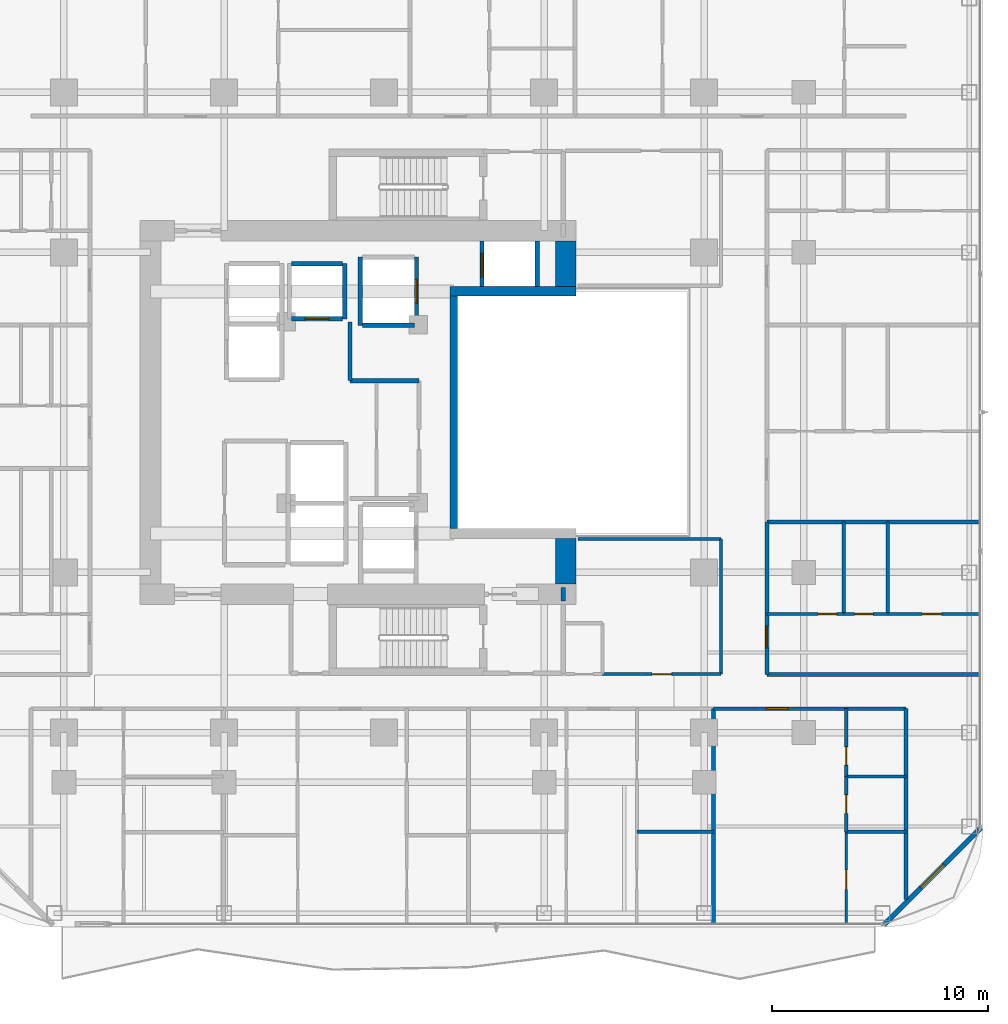
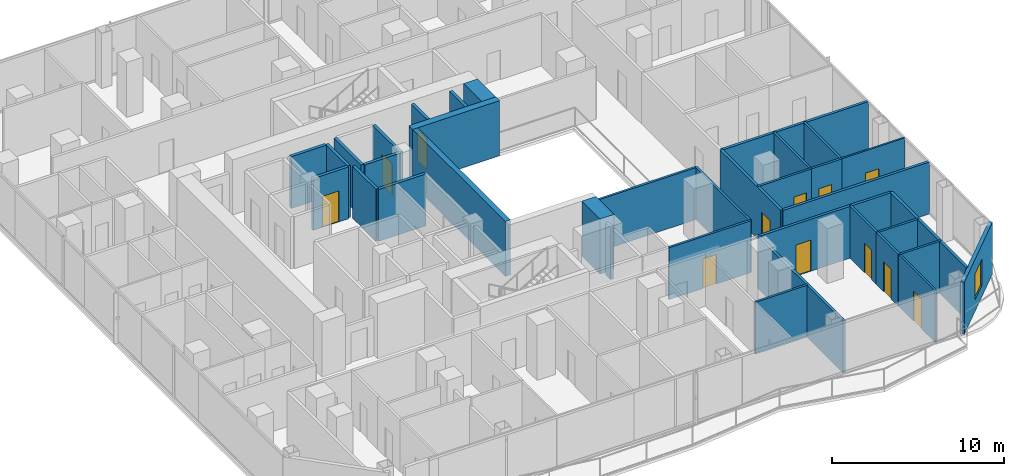
# One storey, part 20 of 29: 36 walls, 12 doors, 1 window, 13 openings.
"""IFC4 building model written with IfcOpenShell, lengths in metres."""

import ifcopenshell
import ifcopenshell.guid

model = None  # the IFC model being written
_history = None  # IfcOwnerHistory: only IFC2X3 demands one
_inside = {}  # id of a spatial element -> (the spatial element, [elements in it])
_under = {}  # id of a project, library or spatial element -> (it, [spatial elements below it])
_declared = {}  # id of a project -> (the project, [libraries it declares])
_typed = {}  # id of a type object -> (the type object, [elements of that type])
_made_of = {}  # id of a material, layer set ... -> (it, [elements and type objects made of it])


def new_model(schema):
    """Start an empty IFC model of exactly this schema.

    Asked for "IFC4X3", IfcOpenShell would pick the latest addendum, in which some entities
    have other attributes; the version numbers below select the first issue.
    IFC2X3 requires an IfcOwnerHistory on every rooted entity: one is made here for all.
    """
    global model, _history
    if schema == "IFC4X3":
        model = ifcopenshell.file(schema_version=(4, 3, 0, 0))
    else:
        model = ifcopenshell.file(schema=schema)
    _inside.clear()
    _under.clear()
    _declared.clear()
    _typed.clear()
    _made_of.clear()
    _history = None
    if model.schema == "IFC2X3":
        org = make("IfcOrganization", Name="unknown")
        user = make(
            "IfcPersonAndOrganization",
            ThePerson=make("IfcPerson", FamilyName="unknown"),
            TheOrganization=org,
        )
        app = make(
            "IfcApplication",
            ApplicationDeveloper=org,
            Version="unknown",
            ApplicationFullName="unknown",
            ApplicationIdentifier="unknown",
        )
        _history = make(
            "IfcOwnerHistory",
            OwningUser=user,
            OwningApplication=app,
            ChangeAction="ADDED",
            CreationDate=0,
        )
    return model


def make(cls, **values):
    """One entity of the class cls with the attributes given. An attribute that is None is left unset."""
    return model.create_entity(
        cls, **{name: value for name, value in values.items() if value is not None}
    )


def rooted(cls, **values):
    """An entity with a GlobalId (a new one), such as an element, a storey or a relation."""
    return make(cls, GlobalId=ifcopenshell.guid.new(), OwnerHistory=_history, **values)


def si_unit(unit_type, name, prefix=None):
    """IfcSIUnit, for example si_unit("LENGTHUNIT", "METRE", prefix="MILLI")."""
    return make("IfcSIUnit", UnitType=unit_type, Prefix=prefix, Name=name)


def assignment(units):
    """IfcUnitAssignment: the units of a project."""
    return None if units is None else make("IfcUnitAssignment", Units=units)


def point(xyz):
    """IfcCartesianPoint."""
    return None if xyz is None else make("IfcCartesianPoint", Coordinates=xyz)


def direction(xyz):
    """IfcDirection."""
    return None if xyz is None else make("IfcDirection", DirectionRatios=xyz)


def frame(location, z_axis=None, x_axis=None):
    """IfcAxis2Placement3D, a coordinate frame: its origin and axes. An axis left out is left unset."""
    return make(
        "IfcAxis2Placement3D",
        Location=point(location),
        Axis=direction(z_axis),
        RefDirection=direction(x_axis),
    )


def frame_2d(location, x_axis=None):
    """IfcAxis2Placement2D, a coordinate frame in the plane: its origin and x axis."""
    return make(
        "IfcAxis2Placement2D", Location=point(location), RefDirection=direction(x_axis)
    )


def origin():
    """The frame at (0, 0, 0) with its axes left unset."""
    return frame((0.0, 0.0, 0.0))


def place(relative_to, where):
    """IfcLocalPlacement: puts the frame where relative to a parent placement (None: the world)."""
    return make(
        "IfcLocalPlacement", PlacementRelTo=relative_to, RelativePlacement=where
    )


def context(
    kind, dimensions, precision=None, world=None, true_north=None, identifier=None
):
    """IfcGeometricRepresentationContext, for example the 3D "Model" context."""
    return make(
        "IfcGeometricRepresentationContext",
        ContextIdentifier=identifier,
        ContextType=kind,
        CoordinateSpaceDimension=dimensions,
        Precision=precision,
        WorldCoordinateSystem=world,
        TrueNorth=true_north,
    )


def subcontext(parent, identifier, kind, view, scale=None):
    """IfcGeometricRepresentationSubContext, for example "Body" below "Model"."""
    return make(
        "IfcGeometricRepresentationSubContext",
        ContextIdentifier=identifier,
        ContextType=kind,
        ParentContext=parent,
        TargetScale=scale,
        TargetView=view,
    )


def project(units=None, contexts=None):
    """IfcProject with its units and contexts."""
    return rooted(
        "IfcProject",
        Name="project",
        RepresentationContexts=contexts,
        UnitsInContext=assignment(units),
    )


def spatial(cls, under=None, at=None, **own):
    """A site, building, storey or space (cls), placed at a placement, below another one or the project."""
    s = rooted(cls, ObjectPlacement=at, **own)
    if under is not None:
        _under.setdefault(under.id(), (under, []))[1].append(s)
    return s


def profile(cls, at=None, kind="AREA", **sizes):
    """A parametric profile (cls). Its sizes go by their IFC names, for example OverallWidth=200.0."""
    return make(cls, ProfileType=kind, Position=at, **sizes)


def rectangle(**sizes):
    """IfcRectangleProfileDef."""
    return profile("IfcRectangleProfileDef", **sizes)


def extrude(swept, where, along, depth):
    """IfcExtrudedAreaSolid: the profile swept, set in the frame where, extruded along a direction by depth."""
    return make(
        "IfcExtrudedAreaSolid",
        SweptArea=swept,
        Position=where,
        ExtrudedDirection=direction(along),
        Depth=depth,
    )


def shape(context_of_items, identifier, shape_type, items):
    """IfcShapeRepresentation: the items that make up one representation, for example the "Body"."""
    return make(
        "IfcShapeRepresentation",
        ContextOfItems=context_of_items,
        RepresentationIdentifier=identifier,
        RepresentationType=shape_type,
        Items=items,
    )


def material(Name=None, Category=None):
    """IfcMaterial."""
    return make("IfcMaterial", Name=Name, Category=Category)


def layer(
    of_material, thickness, ventilated=None, Name=None, Category=None, Priority=None
):
    """IfcMaterialLayer: one layer of a wall or slab, of a material (None: an air gap)."""
    return make(
        "IfcMaterialLayer",
        Material=of_material,
        LayerThickness=thickness,
        IsVentilated=ventilated,
        Name=Name,
        Category=Category,
        Priority=Priority,
    )


def layer_set(layers, Name=None):
    """IfcMaterialLayerSet."""
    return make("IfcMaterialLayerSet", MaterialLayers=layers, LayerSetName=Name)


def made_of(thing, what):
    """Note that an element or type object is made of a material, layer set ...; save() writes the relation."""
    if what is not None:
        _made_of.setdefault(what.id(), (what, []))[1].append(thing)
    return thing


def type_object(cls, material=None, **own):
    """A type object (cls), such as IfcWallType, which elements share."""
    return made_of(rooted(cls, **own), material)


def element(
    cls,
    number,
    at=None,
    inside=None,
    cuts=None,
    type_object=None,
    material=None,
    context=None,
    identifier="Body",
    shape_type=None,
    held_by="IfcProductDefinitionShape",
    body=None,
    shapes=None,
    **own,
):
    """One element of the class cls, such as IfcWall. Its Tag is "e" and its number.

    at: its placement. inside: the storey or other place that contains it. cuts: it is an
    opening in that element (IfcRelVoidsElement). A single representation is given by context,
    identifier, shape_type and body (its items); several are given by shapes. held_by: the class
    of the entity that holds the representations. save() writes the other relations.
    """
    e = rooted(cls, Tag="e%d" % number, ObjectPlacement=at, **own)
    if body is not None:
        shapes = [shape(context, identifier, shape_type, body)]
    if shapes is not None:
        e.Representation = make(held_by, Representations=shapes)
    if inside is not None:
        _inside.setdefault(inside.id(), (inside, []))[1].append(e)
    if cuts is not None:
        rooted(
            "IfcRelVoidsElement", RelatingBuildingElement=cuts, RelatedOpeningElement=e
        )
    if type_object is not None:
        _typed.setdefault(type_object.id(), (type_object, []))[1].append(e)
    return made_of(e, material)


def fill(opening, filler):
    """IfcRelFillsElement: the door or window that sits in an opening."""
    return rooted(
        "IfcRelFillsElement",
        RelatingOpeningElement=opening,
        RelatedBuildingElement=filler,
    )


def aggregate(whole, parts):
    """IfcRelAggregates: a whole, such as a stair, and the parts it consists of."""
    return rooted("IfcRelAggregates", RelatingObject=whole, RelatedObjects=parts)


def save(model, path):
    """Write the relations noted so far, then the file.

    IfcRelAggregates (storeys below a building ...), IfcRelContainedInSpatialStructure (elements
    in a storey), IfcRelDefinesByType, IfcRelAssociatesMaterial and IfcRelDeclares: one each for
    every whole, place, type object, material and project.
    """
    for whole, parts in _under.values():
        aggregate(whole, parts)
    for where, things in _inside.values():
        rooted(
            "IfcRelContainedInSpatialStructure",
            RelatedElements=things,
            RelatingStructure=where,
        )
    for kind, things in _typed.values():
        rooted("IfcRelDefinesByType", RelatedObjects=things, RelatingType=kind)
    for what, things in _made_of.values():
        rooted("IfcRelAssociatesMaterial", RelatedObjects=things, RelatingMaterial=what)
    for by, libraries in _declared.values():
        rooted("IfcRelDeclares", RelatingContext=by, RelatedDefinitions=libraries)
    model.write(path)


model = new_model("IFC4")

# Units and contexts
model_context = context("Model", 3, precision=1e-05, world=origin(), true_north=direction((0.0, 1.0)))
body_context = subcontext(model_context, "Body", "Model", "MODEL_VIEW")
ifc_project = project(units=[si_unit("LENGTHUNIT", "METRE"), si_unit("AREAUNIT", "SQUARE_METRE"), si_unit("VOLUMEUNIT", "CUBIC_METRE"), si_unit("PLANEANGLEUNIT", "RADIAN"), si_unit("MASSUNIT", "GRAM", prefix="KILO")], contexts=[model_context])

# Site, building, storey
site_placement = place(None, origin())
site = spatial("IfcSite", under=ifc_project, at=site_placement, CompositionType="ELEMENT")
building_placement = place(site_placement, origin())
building = spatial("IfcBuilding", under=site, at=building_placement, Name="Khorvyn Point Tower", CompositionType="ELEMENT")
storey_placement = place(building_placement, frame((0.0, 0.0, 144.60009765625)))
storey = spatial("IfcBuildingStorey", under=building, at=storey_placement, Name="L36", CompositionType="ELEMENT", Elevation=144.60009765625)

# Wall, opening, door
ifc_material_1 = material(Name="Double acoustic gypsum on twin steel stud", Category="steel")
ifc_layer_1 = layer(ifc_material_1, 0.179931640625)
ifc_layer_set_1 = layer_set([ifc_layer_1], Name="Acoustic Double-Stud Apartment Demising Wall 180")
wall_type_1 = type_object("IfcWallType", Name="Acoustic Double-Stud Apartment Demising Wall 180", PredefinedType="PARTITIONING", material=ifc_layer_set_1)
wall_1_placement = place(storey_placement, frame((15.222900390625, -13.699951171875, 0.0), z_axis=(0.0, 0.0, 1.0), x_axis=(1.0, 0.0, 0.0)))
wall_1 = element("IfcWall", 1, at=wall_1_placement, inside=storey, type_object=wall_type_1, Name="Wall", PredefinedType="PARTITIONING", context=body_context, shape_type="SweptSolid", body=[
    extrude(rectangle(XDim=8.897216796875, YDim=0.179931640625, at=frame_2d((4.44873046875, 0.0))), origin(), (0.0, 0.0, 1.0), 3.679931640625),
])
opening_1_placement = place(wall_1_placement, frame((2.45068359375, 0.0, 0.0)))
opening_1 = element("IfcOpeningElement", 2, at=opening_1_placement, cuts=wall_1, Name="Opening ID-AP60", PredefinedType="OPENING", context=body_context, shape_type="SweptSolid", body=[
    extrude(rectangle(XDim=1.0, YDim=2.199951171875, at=frame_2d((0.5, 1.10009765625))), frame((0.0, 0.099853515625, 0.0), z_axis=(0.0, -1.0, 0.0), x_axis=(1.0, 0.0, 0.0)), (0.0, 0.0, 1.0), 0.199951171875),
])
ifc_material_2 = material(Name="Engineered hardwood fire-rated leaf", Category="wood")
door_type_1 = type_object("IfcDoorType", Name="Acoustic Solid-Core Timber Apartment Entrance Door 1000x2200", OperationType="NOTDEFINED", PredefinedType="DOOR", material=ifc_material_2)
door_1_placement = place(opening_1_placement, origin())
door_1 = element("IfcDoor", 3, at=door_1_placement, inside=storey, type_object=door_type_1, Name="Door", OperationType="SINGLE_SWING_LEFT", OverallHeight=2.199951171875, OverallWidth=1.0, PredefinedType="DOOR", context=body_context, shape_type="SweptSolid", body=[
    extrude(rectangle(XDim=1.0, YDim=2.199951171875, at=frame_2d((0.5, 1.10009765625))), frame((0.0, 0.02490234375, 0.0), z_axis=(0.0, -1.0, 0.0), x_axis=(1.0, 0.0, 0.0)), (0.0, 0.0, 1.0), 0.050048828125),
])
fill(opening_1, door_1)

wall_2_placement = place(storey_placement, frame((17.699951171875, -12.1201171875, 0.0), z_axis=(0.0, 0.0, 1.0), x_axis=(0.0, 1.0, 0.0)))
wall_2 = element("IfcWall", 4, at=wall_2_placement, inside=storey, type_object=wall_type_1, Name="Wall", PredefinedType="PARTITIONING", context=body_context, shape_type="SweptSolid", body=[
    extrude(rectangle(XDim=7.06201171875, YDim=0.179931640625, at=frame_2d((3.531005859375, 0.0))), origin(), (0.0, 0.0, 1.0), 3.679931640625),
])
opening_2_placement = place(wall_2_placement, frame((1.236572265625, 0.0, 0.0)))
opening_2 = element("IfcOpeningElement", 5, at=opening_2_placement, cuts=wall_2, Name="Opening ID-AP60", PredefinedType="OPENING", context=body_context, shape_type="SweptSolid", body=[
    extrude(rectangle(XDim=1.0, YDim=2.199951171875, at=frame_2d((0.5, 1.10009765625))), frame((0.0, 0.099853515625, 0.0), z_axis=(0.0, -1.0, 0.0), x_axis=(1.0, 0.0, 0.0)), (0.0, 0.0, 1.0), 0.199951171875),
])
door_2_placement = place(opening_2_placement, origin())
door_2 = element("IfcDoor", 6, at=door_2_placement, inside=storey, type_object=door_type_1, Name="Door", OperationType="SINGLE_SWING_LEFT", OverallHeight=2.199951171875, OverallWidth=1.0, PredefinedType="DOOR", context=body_context, shape_type="SweptSolid", body=[
    extrude(rectangle(XDim=1.0, YDim=2.199951171875, at=frame_2d((0.5, 1.10009765625))), frame((0.0, 0.02490234375, 0.0), z_axis=(0.0, -1.0, 0.0), x_axis=(1.0, 0.0, 0.0)), (0.0, 0.0, 1.0), 0.050048828125),
])
fill(opening_2, door_2)

# Walls
wall_3_placement = place(storey_placement, frame((24.1201171875, -22.510009765625, 0.0), z_axis=(0.0, 0.0, 1.0), x_axis=(0.0, 1.0, 0.0)))
element("IfcWall", 7, at=wall_3_placement, inside=storey, type_object=wall_type_1, Name="Wall", PredefinedType="PARTITIONING", context=body_context, shape_type="SweptSolid", body=[
    extrude(rectangle(XDim=8.81005859375, YDim=0.179931640625, at=frame_2d((4.405029296875, 0.0))), origin(), (0.0, 0.0, 1.0), 3.679931640625),
])
wall_4_placement = place(storey_placement, frame((15.222900390625, -23.6298828125, 0.0), z_axis=(0.0, 0.0, 1.0), x_axis=(0.0, 1.0, 0.0)))
element("IfcWall", 8, at=wall_4_placement, inside=storey, type_object=wall_type_1, Name="Wall", PredefinedType="PARTITIONING", context=body_context, shape_type="SweptSolid", body=[
    extrude(rectangle(XDim=9.929931640625, YDim=0.179931640625, at=frame_2d((4.96484375, 0.0))), origin(), (0.0, 0.0, 1.0), 3.679931640625),
])
for number, where, z_axis, x_axis, name in (
    (9, (17.699951171875, -5.05810546875, 0.0), (0.0, 0.0, 1.0), (1.0, 0.0, 0.0), "Wall"),
    (10, (17.699951171875, -12.1201171875, 0.0), (0.0, 0.0, 1.0), (1.0, 0.0, 0.0), "Wall"),
):
    element("IfcWall", number, at=place(storey_placement, frame(where, z_axis=z_axis, x_axis=x_axis)), inside=storey, type_object=wall_type_1, Name=name, PredefinedType="PARTITIONING", context=body_context, shape_type="SweptSolid", body=[
        extrude(rectangle(XDim=9.830078125, YDim=0.179931640625, at=frame_2d((4.9150390625, 0.0))), origin(), (0.0, 0.0, 1.0), 3.679931640625),
    ])

# Wall, opening, window
ifc_material_3 = material(Name="Pale anodised aluminium rainscreen on steel stud", Category="steel")
ifc_layer_2 = layer(ifc_material_3, 0.239990234375)
ifc_layer_set_2 = layer_set([ifc_layer_2], Name="Anodised Aluminium Insulated Corner Spandrel Wall 240")
wall_type_2 = type_object("IfcWallType", Name="Anodised Aluminium Insulated Corner Spandrel Wall 240", PredefinedType="SOLIDWALL", material=ifc_layer_set_2)
wall_5_placement = place(storey_placement, frame((27.59228515625, -19.20751953125, 0.0), z_axis=(0.0, 0.0, 1.0), x_axis=(-0.707087534163, -0.707126027686, 0.0)))
wall_5 = element("IfcWall", 11, at=wall_5_placement, inside=storey, type_object=wall_type_2, Name="L36 Rounded Corner Wall SE", PredefinedType="SOLIDWALL", context=body_context, shape_type="SweptSolid", body=[
    extrude(rectangle(XDim=6.34228515625, YDim=0.239990234375, at=frame_2d((3.171142578125, 0.0))), origin(), (0.0, 0.0, 1.0), 3.679931640625),
])
opening_3_placement = place(wall_5_placement, frame((2.42138671875, 0.0, 0.800048828125)))
opening_3 = element("IfcOpeningElement", 12, at=opening_3_placement, cuts=wall_5, Name="Opening WN-1518", PredefinedType="OPENING", context=body_context, shape_type="SweptSolid", body=[
    extrude(rectangle(XDim=1.5, YDim=1.85009765625, at=frame_2d((0.75, 0.925048828125))), frame((0.0, 0.1298828125, 0.0), z_axis=(0.0, -1.0, 0.0), x_axis=(1.0, 0.0, 0.0)), (0.0, 0.0, 1.0), 0.260009765625),
])
ifc_material_4 = material(Name="Anodised aluminium 6063-T6 and laminated Low-E glass", Category="aluminium")
window_type = type_object("IfcWindowType", Name="Anodised Aluminium Rounded-Corner Panoramic Window 1500x1850", PartitioningType="SINGLE_PANEL", PredefinedType="WINDOW", material=ifc_material_4)
window_placement = place(opening_3_placement, origin())
window = element("IfcWindow", 13, at=window_placement, inside=storey, type_object=window_type, Name="L36 Corner Panoramic Window SE", OverallHeight=1.85009765625, OverallWidth=1.5, PartitioningType="SINGLE_PANEL", PredefinedType="WINDOW", context=body_context, shape_type="SweptSolid", body=[
    extrude(rectangle(XDim=1.5, YDim=1.85009765625, at=frame_2d((0.75, 0.925048828125))), frame((0.0, 0.030029296875, 0.0), z_axis=(0.0, -1.0, 0.0), x_axis=(1.0, 0.0, 0.0)), (0.0, 0.0, 1.0), 0.06005859375),
])
fill(opening_3, window)

# Walls
ifc_material_5 = material(Name="Concrete C40/50", Category="concrete")
ifc_layer_3 = layer(ifc_material_5, 0.449951171875)
ifc_layer_set_3 = layer_set([ifc_layer_3], Name="Concrete C40/50 Core Shear Wall 450")
wall_type_3 = type_object("IfcWallType", Name="Concrete C40/50 Core Shear Wall 450", PredefinedType="SHEAR", material=ifc_layer_set_3)
wall_6_placement = place(storey_placement, frame((3.044921875, 5.60009765625, 0.0), z_axis=(0.0, 0.0, 1.0), x_axis=(1.0, 0.0, 0.0)))
element("IfcWall", 14, at=wall_6_placement, inside=storey, type_object=wall_type_3, Name="Wall", PredefinedType="SHEAR", context=body_context, shape_type="SweptSolid", body=[
    extrude(rectangle(XDim=5.830078125, YDim=0.449951171875, at=frame_2d((2.9150390625, 0.0))), origin(), (0.0, 0.0, 1.0), 3.89990234375),
])
ifc_layer_4 = layer(ifc_material_5, 0.199951171875)
ifc_layer_set_4 = layer_set([ifc_layer_4], Name="Concrete C40/50 Fire-Lobby Compartment Wall 200")
wall_type_4 = type_object("IfcWallType", Name="Concrete C40/50 Fire-Lobby Compartment Wall 200", PredefinedType="SOLIDWALL", material=ifc_layer_set_4)
wall_7_placement = place(storey_placement, frame((-1.580078125, 1.47998046875, 0.0), z_axis=(0.0, 0.0, 1.0), x_axis=(0.0, 1.0, 0.0)))
element("IfcWall", 15, at=wall_7_placement, inside=storey, type_object=wall_type_4, Name="Wall", PredefinedType="SOLIDWALL", context=body_context, shape_type="SweptSolid", body=[
    extrude(rectangle(XDim=2.699951171875, YDim=0.199951171875, at=frame_2d((1.35009765625, 0.0))), origin(), (0.0, 0.0, 1.0), 3.679931640625),
])
wall_8_placement = place(storey_placement, frame((-1.580078125, 1.4599609375, 0.0), z_axis=(0.0, 0.0, 1.0), x_axis=(1.0, 0.0, 0.0)))
element("IfcWall", 16, at=wall_8_placement, inside=storey, type_object=wall_type_4, Name="Wall", PredefinedType="SOLIDWALL", context=body_context, shape_type="SweptSolid", body=[
    extrude(rectangle(XDim=3.190185546875, YDim=0.199951171875, at=frame_2d((1.59521484375, 0.0))), origin(), (0.0, 0.0, 1.0), 3.679931640625),
])
wall_9_placement = place(storey_placement, frame((8.280029296875, -8.72509765625, 0.0), z_axis=(0.0, 0.0, 1.0), x_axis=(0.0, 1.0, 0.0)))
element("IfcWall", 17, at=wall_9_placement, inside=storey, type_object=wall_type_4, Name="Wall", PredefinedType="SOLIDWALL", context=body_context, shape_type="SweptSolid", body=[
    extrude(rectangle(XDim=0.625, YDim=0.199951171875, at=frame_2d((0.3125, 0.0))), origin(), (0.0, 0.0, 1.0), 3.679931640625),
])
ifc_layer_5 = layer(ifc_material_5, 0.35009765625)
ifc_layer_set_5 = layer_set([ifc_layer_5], Name="Concrete C40/50 Stair Shaft Structural Wall 350")
wall_type_5 = type_object("IfcWallType", Name="Concrete C40/50 Stair Shaft Structural Wall 350", PredefinedType="SHEAR", material=ifc_layer_set_5)
wall_10_placement = place(storey_placement, frame((3.219970703125, -5.375, 0.0), z_axis=(0.0, 0.0, 1.0), x_axis=(0.0, 1.0, 0.0)))
element("IfcWall", 18, at=wall_10_placement, inside=storey, type_object=wall_type_5, Name="Wall", PredefinedType="SHEAR", context=body_context, shape_type="SweptSolid", body=[
    extrude(rectangle(XDim=10.75, YDim=0.35009765625, at=frame_2d((5.375, 0.0))), origin(), (0.0, 0.0, 1.0), 3.89990234375),
])
ifc_layer_6 = layer(ifc_material_5, 0.199951171875)
ifc_layer_set_6 = layer_set([ifc_layer_6], Name="Concrete C40/50 Structural Hoistway and Stair Shaft Wall 200")
wall_type_6 = type_object("IfcWallType", Name="Concrete C40/50 Structural Hoistway and Stair Shaft Wall 200", PredefinedType="SHEAR", material=ifc_layer_set_6)
wall_11_placement = place(storey_placement, frame((-1.824951171875, 4.324951171875, 0.0), z_axis=(0.0, 0.0, 1.0), x_axis=(0.0, 1.0, 0.0)))
element("IfcWall", 19, at=wall_11_placement, inside=storey, type_object=wall_type_6, Name="Wall", PredefinedType="SHEAR", context=body_context, shape_type="SweptSolid", body=[
    extrude(rectangle(XDim=2.550048828125, YDim=0.199951171875, at=frame_2d((1.27490234375, 0.0))), origin(), (0.0, 0.0, 1.0), 3.679931640625),
])

# Wall, opening, door
wall_12_placement = place(storey_placement, frame((-4.27490234375, 4.324951171875, 0.0), z_axis=(0.0, 0.0, 1.0), x_axis=(1.0, 0.0, 0.0)))
wall_12 = element("IfcWall", 20, at=wall_12_placement, inside=storey, type_object=wall_type_6, Name="Wall", PredefinedType="SHEAR", context=body_context, shape_type="SweptSolid", body=[
    extrude(rectangle(XDim=2.349853515625, YDim=0.199951171875, at=frame_2d((1.1748046875, 0.0))), origin(), (0.0, 0.0, 1.0), 3.679931640625),
])
opening_4_placement = place(wall_12_placement, frame((0.625, 0.0, 0.0)))
opening_4 = element("IfcOpeningElement", 21, at=opening_4_placement, cuts=wall_12, Name="Opening LD-1122", PredefinedType="OPENING", context=body_context, shape_type="SweptSolid", body=[
    extrude(rectangle(XDim=1.10009765625, YDim=2.199951171875, at=frame_2d((0.550048828125, 1.10009765625))), frame((0.0, 0.10986328125, 0.0), z_axis=(0.0, -1.0, 0.0), x_axis=(1.0, 0.0, 0.0)), (0.0, 0.0, 1.0), 0.219970703125),
])
ifc_material_6 = material(Name="Stainless steel 1.4301", Category="steel")
door_type_2 = type_object("IfcDoorType", Name="Stainless Steel Automatic Sliding Lift Landing Door 1100x2200", OperationType="SLIDING_TO_LEFT", PredefinedType="DOOR", material=ifc_material_6)
door_3_placement = place(opening_4_placement, origin())
door_3 = element("IfcDoor", 22, at=door_3_placement, inside=storey, type_object=door_type_2, Name="L36 RM-03 Sliding Lift Landing Door", OperationType="SLIDING_TO_LEFT", OverallHeight=2.199951171875, OverallWidth=1.10009765625, PredefinedType="DOOR", context=body_context, shape_type="SweptSolid", body=[
    extrude(rectangle(XDim=1.10009765625, YDim=2.199951171875, at=frame_2d((0.550048828125, 1.10009765625))), frame((0.0, 0.02490234375, 0.0), z_axis=(0.0, -1.0, 0.0), x_axis=(1.0, 0.0, 0.0)), (0.0, 0.0, 1.0), 0.050048828125),
])
fill(opening_4, door_3)

# Walls
wall_13_placement = place(storey_placement, frame((-4.27490234375, 6.875, 0.0), z_axis=(0.0, 0.0, 1.0), x_axis=(1.0, 0.0, 0.0)))
element("IfcWall", 23, at=wall_13_placement, inside=storey, type_object=wall_type_6, Name="Wall", PredefinedType="SHEAR", context=body_context, shape_type="SweptSolid", body=[
    extrude(rectangle(XDim=2.349853515625, YDim=0.199951171875, at=frame_2d((1.1748046875, 0.0))), origin(), (0.0, 0.0, 1.0), 3.679931640625),
])
wall_14_placement = place(storey_placement, frame((-1.10009765625, 4.02490234375, 0.0), z_axis=(0.0, 0.0, 1.0), x_axis=(0.0, 1.0, 0.0)))
element("IfcWall", 24, at=wall_14_placement, inside=storey, type_object=wall_type_6, Name="Wall", PredefinedType="SHEAR", context=body_context, shape_type="SweptSolid", body=[
    extrude(rectangle(XDim=3.150146484375, YDim=0.199951171875, at=frame_2d((1.5751953125, 0.0))), origin(), (0.0, 0.0, 1.0), 3.679931640625),
])

# Wall, opening, door
wall_15_placement = place(storey_placement, frame((1.5, 4.02490234375, 0.0), z_axis=(0.0, 0.0, 1.0), x_axis=(0.0, 1.0, 0.0)))
wall_15 = element("IfcWall", 25, at=wall_15_placement, inside=storey, type_object=wall_type_6, Name="Wall", PredefinedType="SHEAR", context=body_context, shape_type="SweptSolid", body=[
    extrude(rectangle(XDim=3.150146484375, YDim=0.199951171875, at=frame_2d((1.5751953125, 0.0))), origin(), (0.0, 0.0, 1.0), 3.679931640625),
])
opening_5_placement = place(wall_15_placement, frame((1.02490234375, 0.0, 0.0)))
opening_5 = element("IfcOpeningElement", 26, at=opening_5_placement, cuts=wall_15, Name="Opening LD-1122", PredefinedType="OPENING", context=body_context, shape_type="SweptSolid", body=[
    extrude(rectangle(XDim=1.10009765625, YDim=2.199951171875, at=frame_2d((0.550048828125, 1.10009765625))), frame((0.0, 0.10986328125, 0.0), z_axis=(0.0, -1.0, 0.0), x_axis=(1.0, 0.0, 0.0)), (0.0, 0.0, 1.0), 0.219970703125),
])
door_4_placement = place(opening_5_placement, origin())
door_4 = element("IfcDoor", 27, at=door_4_placement, inside=storey, type_object=door_type_2, Name="L36 SV-01 Sliding Lift Landing Door", OperationType="SLIDING_TO_LEFT", OverallHeight=2.199951171875, OverallWidth=1.10009765625, PredefinedType="DOOR", context=body_context, shape_type="SweptSolid", body=[
    extrude(rectangle(XDim=1.10009765625, YDim=2.199951171875, at=frame_2d((0.550048828125, 1.10009765625))), frame((0.0, 0.02490234375, 0.0), z_axis=(0.0, -1.0, 0.0), x_axis=(1.0, 0.0, 0.0)), (0.0, 0.0, 1.0), 0.050048828125),
])
fill(opening_5, door_4)

# Wall
wall_16_placement = place(storey_placement, frame((-1.0, 4.02490234375, 0.0), z_axis=(0.0, 0.0, 1.0), x_axis=(1.0, 0.0, 0.0)))
element("IfcWall", 28, at=wall_16_placement, inside=storey, type_object=wall_type_6, Name="Wall", PredefinedType="SHEAR", context=body_context, shape_type="SweptSolid", body=[
    extrude(rectangle(XDim=2.39990234375, YDim=0.199951171875, at=frame_2d((1.199951171875, 0.0))), origin(), (0.0, 0.0, 1.0), 3.679931640625),
])

# Wall, opening, door
wall_17_placement = place(storey_placement, frame((4.52490234375, 5.824951171875, 0.0), z_axis=(0.0, 0.0, 1.0), x_axis=(0.0, 1.0, 0.0)))
wall_17 = element("IfcWall", 29, at=wall_17_placement, inside=storey, type_object=wall_type_6, Name="Wall", PredefinedType="SHEAR", context=body_context, shape_type="SweptSolid", body=[
    extrude(rectangle(XDim=2.10009765625, YDim=0.199951171875, at=frame_2d((1.050048828125, 0.0))), origin(), (0.0, 0.0, 1.0), 3.679931640625),
])
opening_6_placement = place(wall_17_placement, frame((0.425048828125, 0.0, 0.0)))
opening_6 = element("IfcOpeningElement", 30, at=opening_6_placement, cuts=wall_17, Name="Opening LD-1122", PredefinedType="OPENING", context=body_context, shape_type="SweptSolid", body=[
    extrude(rectangle(XDim=1.10009765625, YDim=2.199951171875, at=frame_2d((0.550048828125, 1.10009765625))), frame((0.0, 0.10986328125, 0.0), z_axis=(0.0, -1.0, 0.0), x_axis=(1.0, 0.0, 0.0)), (0.0, 0.0, 1.0), 0.219970703125),
])
door_5_placement = place(opening_6_placement, origin())
door_5 = element("IfcDoor", 31, at=door_5_placement, inside=storey, type_object=door_type_2, Name="L36 FF-02 Sliding Lift Landing Door", OperationType="SLIDING_TO_LEFT", OverallHeight=2.199951171875, OverallWidth=1.10009765625, PredefinedType="DOOR", context=body_context, shape_type="SweptSolid", body=[
    extrude(rectangle(XDim=1.10009765625, YDim=2.199951171875, at=frame_2d((0.550048828125, 1.10009765625))), frame((0.0, 0.02490234375, 0.0), z_axis=(0.0, -1.0, 0.0), x_axis=(1.0, 0.0, 0.0)), (0.0, 0.0, 1.0), 0.050048828125),
])
fill(opening_6, door_5)

# Walls
wall_18_placement = place(storey_placement, frame((7.074951171875, 5.824951171875, 0.0), z_axis=(0.0, 0.0, 1.0), x_axis=(0.0, 1.0, 0.0)))
element("IfcWall", 32, at=wall_18_placement, inside=storey, type_object=wall_type_6, Name="Wall", PredefinedType="SHEAR", context=body_context, shape_type="SweptSolid", body=[
    extrude(rectangle(XDim=2.10009765625, YDim=0.199951171875, at=frame_2d((1.050048828125, 0.0))), origin(), (0.0, 0.0, 1.0), 3.679931640625),
])
ifc_material_7 = material(Name="Concrete C50/60", Category="concrete")
ifc_layer_7 = layer(ifc_material_7, 0.949951171875)
ifc_layer_set_7 = layer_set([ifc_layer_7], Name="Concrete C50/60 Core Shear Wall 950")
wall_type_7 = type_object("IfcWallType", Name="Concrete C50/60 Core Shear Wall 950", PredefinedType="SHEAR", material=ifc_layer_set_7)
for number, where, z_axis, x_axis, name in (
    (33, (8.39990234375, -7.925048828125, 0.0), (0.0, 0.0, 1.0), (0.0, 1.0, 0.0), "Wall"),
    (34, (8.39990234375, 5.824951171875, 0.0), (0.0, 0.0, 1.0), (0.0, 1.0, 0.0), "Wall"),
):
    element("IfcWall", number, at=place(storey_placement, frame(where, z_axis=z_axis, x_axis=x_axis)), inside=storey, type_object=wall_type_7, Name=name, PredefinedType="SHEAR", context=body_context, shape_type="SweptSolid", body=[
        extrude(rectangle(XDim=2.10009765625, YDim=0.949951171875, at=frame_2d((1.050048828125, 0.0))), origin(), (0.0, 0.0, 1.0), 3.89990234375),
    ])

# Wall, opening, door
ifc_material_8 = material(Name="Gypsum plasterboard on steel stud", Category="steel")
ifc_layer_8 = layer(ifc_material_8, 0.1201171875)
ifc_layer_set_8 = layer_set([ifc_layer_8], Name="Gypsum Acoustic Stud Room Partition Wall 120")
wall_type_8 = type_object("IfcWallType", Name="Gypsum Acoustic Stud Room Partition Wall 120", PredefinedType="PARTITIONING", material=ifc_layer_set_8)
wall_19_placement = place(storey_placement, frame((21.3701171875, -23.6298828125, 0.0), z_axis=(0.0, 0.0, 1.0), x_axis=(0.0, 1.0, 0.0)))
wall_19 = element("IfcWall", 35, at=wall_19_placement, inside=storey, type_object=wall_type_8, Name="Wall", PredefinedType="PARTITIONING", context=body_context, shape_type="SweptSolid", body=[
    extrude(rectangle(XDim=4.239990234375, YDim=0.1201171875, at=frame_2d((2.1201171875, 0.0))), origin(), (0.0, 0.0, 1.0), 3.679931640625),
])
opening_7_placement = place(wall_19_placement, frame((1.581298828125, 0.0, 0.0)))
opening_7 = element("IfcOpeningElement", 36, at=opening_7_placement, cuts=wall_19, Name="Opening ID-RM90", PredefinedType="OPENING", context=body_context, shape_type="SweptSolid", body=[
    extrude(rectangle(XDim=0.89990234375, YDim=2.10009765625, at=frame_2d((0.449951171875, 1.050048828125))), frame((0.0, 0.070068359375, 0.0), z_axis=(0.0, -1.0, 0.0), x_axis=(1.0, 0.0, 0.0)), (0.0, 0.0, 1.0), 0.14013671875),
])
ifc_material_9 = material(Name="Engineered oak veneer timber", Category="wood")
door_type_3 = type_object("IfcDoorType", Name="Flush Engineered Timber Room Door 900x2100", OperationType="NOTDEFINED", PredefinedType="DOOR", material=ifc_material_9)
door_6_placement = place(opening_7_placement, origin())
door_6 = element("IfcDoor", 37, at=door_6_placement, inside=storey, type_object=door_type_3, Name="Door", OperationType="SINGLE_SWING_RIGHT", OverallHeight=2.10009765625, OverallWidth=0.89990234375, PredefinedType="DOOR", context=body_context, shape_type="SweptSolid", body=[
    extrude(rectangle(XDim=0.89990234375, YDim=2.10009765625, at=frame_2d((0.449951171875, 1.050048828125))), frame((0.0, 0.02490234375, 0.0), z_axis=(0.0, -1.0, 0.0), x_axis=(1.0, 0.0, 0.0)), (0.0, 0.0, 1.0), 0.050048828125),
])
fill(opening_7, door_6)

wall_20_placement = place(storey_placement, frame((23.2900390625, -9.320068359375, 0.0), z_axis=(0.0, 0.0, 1.0), x_axis=(1.0, 0.0, 0.0)))
wall_20 = element("IfcWall", 38, at=wall_20_placement, inside=storey, type_object=wall_type_8, Name="Wall", PredefinedType="PARTITIONING", context=body_context, shape_type="SweptSolid", body=[
    extrude(rectangle(XDim=4.239990234375, YDim=0.1201171875, at=frame_2d((2.1201171875, 0.0))), origin(), (0.0, 0.0, 1.0), 3.679931640625),
])
opening_8_placement = place(wall_20_placement, frame((1.581298828125, 0.0, 0.0)))
opening_8 = element("IfcOpeningElement", 39, at=opening_8_placement, cuts=wall_20, Name="Opening ID-RM90", PredefinedType="OPENING", context=body_context, shape_type="SweptSolid", body=[
    extrude(rectangle(XDim=0.89990234375, YDim=2.10009765625, at=frame_2d((0.449951171875, 1.050048828125))), frame((0.0, 0.070068359375, 0.0), z_axis=(0.0, -1.0, 0.0), x_axis=(1.0, 0.0, 0.0)), (0.0, 0.0, 1.0), 0.14013671875),
])
door_7_placement = place(opening_8_placement, origin())
door_7 = element("IfcDoor", 40, at=door_7_placement, inside=storey, type_object=door_type_3, Name="Door", OperationType="SINGLE_SWING_RIGHT", OverallHeight=2.10009765625, OverallWidth=0.89990234375, PredefinedType="DOOR", context=body_context, shape_type="SweptSolid", body=[
    extrude(rectangle(XDim=0.89990234375, YDim=2.10009765625, at=frame_2d((0.449951171875, 1.050048828125))), frame((0.0, 0.02490234375, 0.0), z_axis=(0.0, -1.0, 0.0), x_axis=(1.0, 0.0, 0.0)), (0.0, 0.0, 1.0), 0.050048828125),
])
fill(opening_8, door_7)

ifc_material_10 = material(Name="Moisture-resistant gypsum and cement board", Category="gypsum")
ifc_layer_9 = layer(ifc_material_10, 0.14990234375)
ifc_layer_set_9 = layer_set([ifc_layer_9], Name="Moisture-Resistant Wet-Room Partition Wall 150")
wall_type_9 = type_object("IfcWallType", Name="Moisture-Resistant Wet-Room Partition Wall 150", PredefinedType="PARTITIONING", material=ifc_layer_set_9)
wall_21_placement = place(storey_placement, frame((10.10009765625, -12.10009765625, 0.0), z_axis=(0.0, 0.0, 1.0), x_axis=(1.0, 0.0, 0.0)))
wall_21 = element("IfcWall", 41, at=wall_21_placement, inside=storey, type_object=wall_type_9, Name="Wall", PredefinedType="PARTITIONING", context=body_context, shape_type="SweptSolid", body=[
    extrude(rectangle(XDim=5.47998046875, YDim=0.14990234375, at=frame_2d((2.739990234375, 0.0))), origin(), (0.0, 0.0, 1.0), 3.679931640625),
])
opening_9_placement = place(wall_21_placement, frame((2.2900390625, 0.0, 0.0)))
opening_9 = element("IfcOpeningElement", 42, at=opening_9_placement, cuts=wall_21, Name="Opening ID-RM90", PredefinedType="OPENING", context=body_context, shape_type="SweptSolid", body=[
    extrude(rectangle(XDim=0.89990234375, YDim=2.10009765625, at=frame_2d((0.449951171875, 1.050048828125))), frame((0.0, 0.0849609375, 0.0), z_axis=(0.0, -1.0, 0.0), x_axis=(1.0, 0.0, 0.0)), (0.0, 0.0, 1.0), 0.169921875),
])
door_8_placement = place(opening_9_placement, origin())
door_8 = element("IfcDoor", 43, at=door_8_placement, inside=storey, type_object=door_type_3, Name="Door", OperationType="SINGLE_SWING_RIGHT", OverallHeight=2.10009765625, OverallWidth=0.89990234375, PredefinedType="DOOR", context=body_context, shape_type="SweptSolid", body=[
    extrude(rectangle(XDim=0.89990234375, YDim=2.10009765625, at=frame_2d((0.449951171875, 1.050048828125))), frame((0.0, 0.02490234375, 0.0), z_axis=(0.0, -1.0, 0.0), x_axis=(1.0, 0.0, 0.0)), (0.0, 0.0, 1.0), 0.050048828125),
])
fill(opening_9, door_8)

wall_22_placement = place(storey_placement, frame((21.3701171875, -16.8291015625, 0.0), z_axis=(0.0, 0.0, 1.0), x_axis=(0.0, 1.0, 0.0)))
wall_22 = element("IfcWall", 44, at=wall_22_placement, inside=storey, type_object=wall_type_9, Name="Wall", PredefinedType="PARTITIONING", context=body_context, shape_type="SweptSolid", body=[
    extrude(rectangle(XDim=3.129150390625, YDim=0.14990234375, at=frame_2d((1.564453125, 0.0))), origin(), (0.0, 0.0, 1.0), 3.679931640625),
])
opening_10_placement = place(wall_22_placement, frame((0.51611328125, 0.0, 0.0)))
opening_10 = element("IfcOpeningElement", 45, at=opening_10_placement, cuts=wall_22, Name="Opening ID-WC85", PredefinedType="OPENING", context=body_context, shape_type="SweptSolid", body=[
    extrude(rectangle(XDim=0.85009765625, YDim=2.10009765625, at=frame_2d((0.425048828125, 1.050048828125))), frame((0.0, 0.0849609375, 0.0), z_axis=(0.0, -1.0, 0.0), x_axis=(1.0, 0.0, 0.0)), (0.0, 0.0, 1.0), 0.169921875),
])
ifc_material_11 = material(Name="High-pressure laminate on moisture-resistant core", Category="wood")
door_type_4 = type_object("IfcDoorType", Name="Moisture-Resistant Accessible Washroom Door 850x2100", OperationType="NOTDEFINED", PredefinedType="DOOR", material=ifc_material_11)
door_9_placement = place(opening_10_placement, origin())
door_9 = element("IfcDoor", 46, at=door_9_placement, inside=storey, type_object=door_type_4, Name="Door", OperationType="SINGLE_SWING_RIGHT", OverallHeight=2.10009765625, OverallWidth=0.85009765625, PredefinedType="DOOR", context=body_context, shape_type="SweptSolid", body=[
    extrude(rectangle(XDim=0.85009765625, YDim=2.10009765625, at=frame_2d((0.425048828125, 1.050048828125))), frame((0.0, 0.02490234375, 0.0), z_axis=(0.0, -1.0, 0.0), x_axis=(1.0, 0.0, 0.0)), (0.0, 0.0, 1.0), 0.050048828125),
])
fill(opening_10, door_9)

wall_23_placement = place(storey_placement, frame((21.3701171875, -19.389892578125, 0.0), z_axis=(0.0, 0.0, 1.0), x_axis=(0.0, 1.0, 0.0)))
wall_23 = element("IfcWall", 47, at=wall_23_placement, inside=storey, type_object=wall_type_9, Name="Wall", PredefinedType="PARTITIONING", context=body_context, shape_type="SweptSolid", body=[
    extrude(rectangle(XDim=2.560791015625, YDim=0.14990234375, at=frame_2d((1.2802734375, 0.0))), origin(), (0.0, 0.0, 1.0), 3.679931640625),
])
opening_11_placement = place(wall_23_placement, frame((0.85546875, 0.0, 0.0)))
opening_11 = element("IfcOpeningElement", 48, at=opening_11_placement, cuts=wall_23, Name="Opening ID-WC85", PredefinedType="OPENING", context=body_context, shape_type="SweptSolid", body=[
    extrude(rectangle(XDim=0.85009765625, YDim=2.10009765625, at=frame_2d((0.425048828125, 1.050048828125))), frame((0.0, 0.0849609375, 0.0), z_axis=(0.0, -1.0, 0.0), x_axis=(1.0, 0.0, 0.0)), (0.0, 0.0, 1.0), 0.169921875),
])
door_10_placement = place(opening_11_placement, origin())
door_10 = element("IfcDoor", 49, at=door_10_placement, inside=storey, type_object=door_type_4, Name="Door", OperationType="SINGLE_SWING_LEFT", OverallHeight=2.10009765625, OverallWidth=0.85009765625, PredefinedType="DOOR", context=body_context, shape_type="SweptSolid", body=[
    extrude(rectangle(XDim=0.85009765625, YDim=2.10009765625, at=frame_2d((0.425048828125, 1.050048828125))), frame((0.0, 0.02490234375, 0.0), z_axis=(0.0, -1.0, 0.0), x_axis=(1.0, 0.0, 0.0)), (0.0, 0.0, 1.0), 0.050048828125),
])
fill(opening_11, door_10)

wall_24_placement = place(storey_placement, frame((17.699951171875, -9.320068359375, 0.0), z_axis=(0.0, 0.0, 1.0), x_axis=(1.0, 0.0, 0.0)))
wall_24 = element("IfcWall", 50, at=wall_24_placement, inside=storey, type_object=wall_type_9, Name="Wall", PredefinedType="PARTITIONING", context=body_context, shape_type="SweptSolid", body=[
    extrude(rectangle(XDim=3.552001953125, YDim=0.14990234375, at=frame_2d((1.77587890625, 0.0))), origin(), (0.0, 0.0, 1.0), 3.679931640625),
])
opening_12_placement = place(wall_24_placement, frame((2.371826171875, 0.0, 0.0)))
opening_12 = element("IfcOpeningElement", 51, at=opening_12_placement, cuts=wall_24, Name="Opening ID-WC85", PredefinedType="OPENING", context=body_context, shape_type="SweptSolid", body=[
    extrude(rectangle(XDim=0.85009765625, YDim=2.10009765625, at=frame_2d((0.425048828125, 1.050048828125))), frame((0.0, 0.0849609375, 0.0), z_axis=(0.0, -1.0, 0.0), x_axis=(1.0, 0.0, 0.0)), (0.0, 0.0, 1.0), 0.169921875),
])
door_11_placement = place(opening_12_placement, origin())
door_11 = element("IfcDoor", 52, at=door_11_placement, inside=storey, type_object=door_type_4, Name="Door", OperationType="SINGLE_SWING_RIGHT", OverallHeight=2.10009765625, OverallWidth=0.85009765625, PredefinedType="DOOR", context=body_context, shape_type="SweptSolid", body=[
    extrude(rectangle(XDim=0.85009765625, YDim=2.10009765625, at=frame_2d((0.425048828125, 1.050048828125))), frame((0.0, 0.02490234375, 0.0), z_axis=(0.0, -1.0, 0.0), x_axis=(1.0, 0.0, 0.0)), (0.0, 0.0, 1.0), 0.050048828125),
])
fill(opening_12, door_11)

wall_25_placement = place(storey_placement, frame((21.251953125, -9.320068359375, 0.0), z_axis=(0.0, 0.0, 1.0), x_axis=(1.0, 0.0, 0.0)))
wall_25 = element("IfcWall", 53, at=wall_25_placement, inside=storey, type_object=wall_type_9, Name="Wall", PredefinedType="PARTITIONING", context=body_context, shape_type="SweptSolid", body=[
    extrude(rectangle(XDim=2.0380859375, YDim=0.14990234375, at=frame_2d((1.01904296875, 0.0))), origin(), (0.0, 0.0, 1.0), 3.679931640625),
])
opening_13_placement = place(wall_25_placement, frame((0.507080078125, 0.0, 0.0)))
opening_13 = element("IfcOpeningElement", 54, at=opening_13_placement, cuts=wall_25, Name="Opening ID-WC85", PredefinedType="OPENING", context=body_context, shape_type="SweptSolid", body=[
    extrude(rectangle(XDim=0.85009765625, YDim=2.10009765625, at=frame_2d((0.425048828125, 1.050048828125))), frame((0.0, 0.0849609375, 0.0), z_axis=(0.0, -1.0, 0.0), x_axis=(1.0, 0.0, 0.0)), (0.0, 0.0, 1.0), 0.169921875),
])
door_12_placement = place(opening_13_placement, origin())
door_12 = element("IfcDoor", 55, at=door_12_placement, inside=storey, type_object=door_type_4, Name="Door", OperationType="SINGLE_SWING_LEFT", OverallHeight=2.10009765625, OverallWidth=0.85009765625, PredefinedType="DOOR", context=body_context, shape_type="SweptSolid", body=[
    extrude(rectangle(XDim=0.85009765625, YDim=2.10009765625, at=frame_2d((0.425048828125, 1.050048828125))), frame((0.0, 0.02490234375, 0.0), z_axis=(0.0, -1.0, 0.0), x_axis=(1.0, 0.0, 0.0)), (0.0, 0.0, 1.0), 0.050048828125),
])
fill(opening_13, door_12)

# Walls
wall_26_placement = place(storey_placement, frame((15.580078125, -12.10009765625, 0.0), z_axis=(0.0, 0.0, 1.0), x_axis=(0.0, 1.0, 0.0)))
element("IfcWall", 56, at=wall_26_placement, inside=storey, type_object=wall_type_9, Name="Wall", PredefinedType="PARTITIONING", context=body_context, shape_type="SweptSolid", body=[
    extrude(rectangle(XDim=6.25, YDim=0.14990234375, at=frame_2d((3.125, 0.0))), origin(), (0.0, 0.0, 1.0), 3.679931640625),
])
wall_27_placement = place(storey_placement, frame((8.9599609375, -5.85009765625, 0.0), z_axis=(0.0, 0.0, 1.0), x_axis=(1.0, 0.0, 0.0)))
element("IfcWall", 57, at=wall_27_placement, inside=storey, type_object=wall_type_9, Name="Wall", PredefinedType="PARTITIONING", context=body_context, shape_type="SweptSolid", body=[
    extrude(rectangle(XDim=6.6201171875, YDim=0.14990234375, at=frame_2d((3.31005859375, 0.0))), origin(), (0.0, 0.0, 1.0), 3.679931640625),
])
wall_28_placement = place(storey_placement, frame((11.68994140625, -19.389892578125, 0.0), z_axis=(0.0, 0.0, 1.0), x_axis=(1.0, 0.0, 0.0)))
element("IfcWall", 58, at=wall_28_placement, inside=storey, type_object=wall_type_9, Name="Wall", PredefinedType="PARTITIONING", context=body_context, shape_type="SweptSolid", body=[
    extrude(rectangle(XDim=3.532958984375, YDim=0.14990234375, at=frame_2d((1.7666015625, 0.0))), origin(), (0.0, 0.0, 1.0), 3.679931640625),
])
for number, where, z_axis, x_axis, name in (
    (59, (21.3701171875, -16.8291015625, 0.0), (0.0, 0.0, 1.0), (1.0, 0.0, 0.0), "Wall"),
    (60, (21.3701171875, -19.389892578125, 0.0), (0.0, 0.0, 1.0), (1.0, 0.0, 0.0), "Wall"),
):
    element("IfcWall", number, at=place(storey_placement, frame(where, z_axis=z_axis, x_axis=x_axis)), inside=storey, type_object=wall_type_9, Name=name, PredefinedType="PARTITIONING", context=body_context, shape_type="SweptSolid", body=[
        extrude(rectangle(XDim=2.75, YDim=0.14990234375, at=frame_2d((1.375, 0.0))), origin(), (0.0, 0.0, 1.0), 3.679931640625),
    ])
for number, where, z_axis, x_axis, name in (
    (61, (21.251953125, -9.320068359375, 0.0), (0.0, 0.0, 1.0), (0.0, 1.0, 0.0), "Wall"),
    (62, (23.2900390625, -9.320068359375, 0.0), (0.0, 0.0, 1.0), (0.0, 1.0, 0.0), "Wall"),
):
    element("IfcWall", number, at=place(storey_placement, frame(where, z_axis=z_axis, x_axis=x_axis)), inside=storey, type_object=wall_type_9, Name=name, PredefinedType="PARTITIONING", context=body_context, shape_type="SweptSolid", body=[
        extrude(rectangle(XDim=4.261962890625, YDim=0.14990234375, at=frame_2d((2.130859375, 0.0))), origin(), (0.0, 0.0, 1.0), 3.679931640625),
    ])

save(model, "model.ifc")
